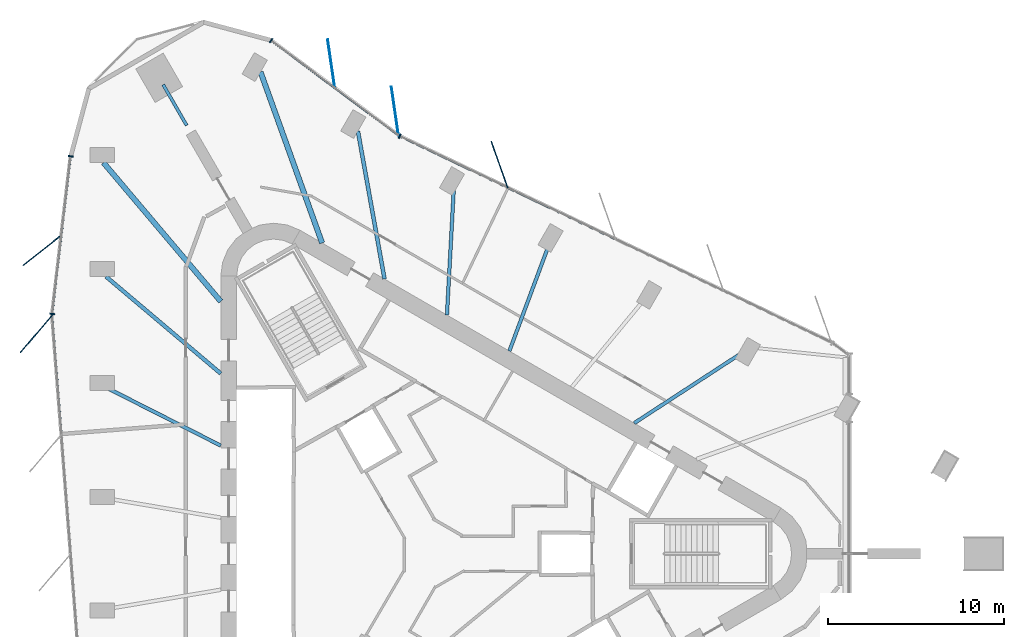
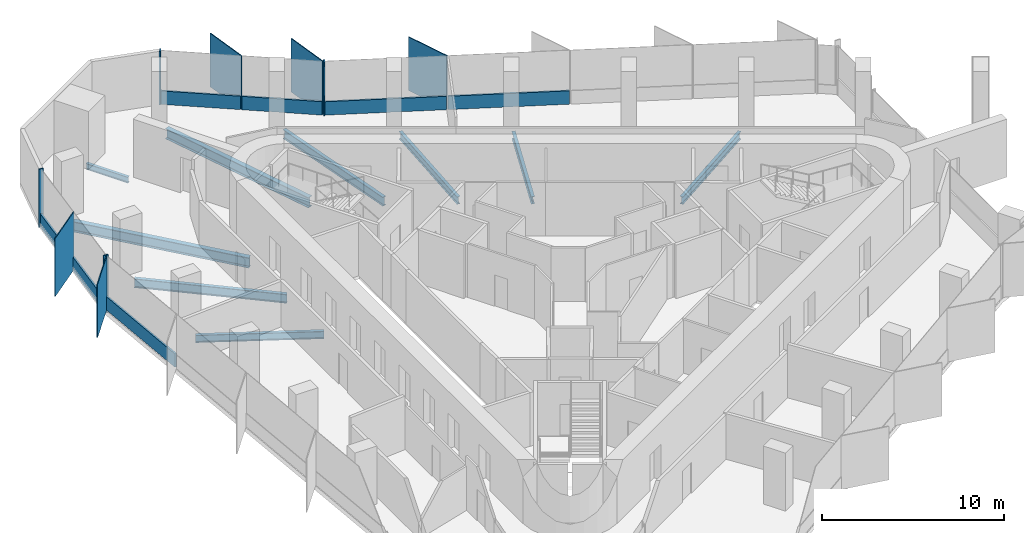
# One storey, part 4 of 12: 16 members, 9 beams, 4 elements without a shape of their own.
"""IFC4 building model written with IfcOpenShell, lengths in metres."""

from ifc_helpers import new_model, si_unit, direction, frame, origin, origin_2d, place, context, subcontext, project, spatial, rectangle, i_section, extrude, material, material_profile, profile_set, type_object, element, aggregate, save


model = new_model("IFC4")

# Units and contexts
model_context = context("Model", 3, precision=1e-05, world=origin(), true_north=direction((0.0, 1.0)))
body_context = subcontext(model_context, "Body", "Model", "MODEL_VIEW")
ifc_project = project(units=[si_unit("LENGTHUNIT", "METRE"), si_unit("AREAUNIT", "SQUARE_METRE"), si_unit("VOLUMEUNIT", "CUBIC_METRE"), si_unit("PLANEANGLEUNIT", "RADIAN"), si_unit("MASSUNIT", "GRAM", prefix="KILO")], contexts=[model_context])

# Site, building, storey
site_placement = place(None, origin())
site = spatial("IfcSite", under=ifc_project, at=site_placement, CompositionType="ELEMENT")
building_placement = place(site_placement, origin())
building = spatial("IfcBuilding", under=site, at=building_placement, Name="Tanit Gate Tower", CompositionType="ELEMENT")
storey_placement = place(building_placement, frame((0.0, 0.0, 380.60009765625)))
storey = spatial("IfcBuildingStorey", under=building, at=storey_placement, Name="L87", CompositionType="ELEMENT", Elevation=380.60009765625)

# Curtain wall, member
ifc_material_1 = material(Name="Aluminium bronze anodised and glass", Category="aluminium")
curtain_wall_type = type_object("IfcCurtainWallType", Name="Curtain wall typical high", PredefinedType="NOTDEFINED", material=ifc_material_1)
curtain_wall_1_placement = place(storey_placement, origin())
curtain_wall_1 = element("IfcCurtainWall", 1, at=curtain_wall_1_placement, inside=storey, type_object=curtain_wall_type, Name="Curtain wall L87 NE2", PredefinedType="NOTDEFINED")
ifc_material_2 = material(Name="Aluminium bronze anodised", Category="aluminium")
ifc_material_profile_1 = material_profile(ifc_material_2, rectangle(XDim=2.800048828125, YDim=0.055908203125, at=origin_2d()), Name="56x2800 bronze fin mullion")
ifc_profile_set_1 = profile_set([ifc_material_profile_1], Name="Aluminium bronze anodised")
member_type_1 = type_object("IfcMemberType", Name="FIN MULLION 56x2800 bronze", PredefinedType="MULLION", material=ifc_profile_set_1)
member_1_placement = place(storey_placement, frame((3.719970703125, 22.080322265625, 0.0), z_axis=(0.0, 0.0, 1.0), x_axis=(0.333220063881, -0.942849080727, 0.0)))
member_1 = element("IfcMember", 2, at=member_1_placement, type_object=member_type_1, Name="Fin mullion L87 NE2.4", PredefinedType="MULLION", context=body_context, shape_type="SweptSolid", body=[
    extrude(rectangle(XDim=2.800048828125, YDim=0.055908203125, at=origin_2d()), origin(), (0.0, 0.0, 1.0), 3.599853515625),
])

# Curtain wall, members
curtain_wall_2_placement = place(storey_placement, origin())
curtain_wall_2 = element("IfcCurtainWall", 3, at=curtain_wall_2_placement, inside=storey, type_object=curtain_wall_type, Name="Curtain wall L87 NE3", PredefinedType="NOTDEFINED")
member_2_placement = place(storey_placement, frame((-2.212646484375, 25.11181640625, 0.0), z_axis=(0.0, 0.0, 1.0), x_axis=(0.144707417984, -0.989474488393, 0.0)))
member_2 = element("IfcMember", 4, at=member_2_placement, type_object=member_type_1, Name="Fin mullion L87 NE3.1", PredefinedType="MULLION", context=body_context, shape_type="SweptSolid", body=[
    extrude(rectangle(XDim=2.800048828125, YDim=0.055908203125, at=origin_2d()), origin(), (0.0, 0.0, 1.0), 3.599853515625),
])
member_3_placement = place(storey_placement, frame((-5.82958984375, 27.8056640625, 0.0), z_axis=(0.0, 0.0, 1.0), x_axis=(0.144707417984, -0.989474488393, 0.0)))
member_3 = element("IfcMember", 5, at=member_3_placement, type_object=member_type_1, Name="Fin mullion L87 NE3.2", PredefinedType="MULLION", context=body_context, shape_type="SweptSolid", body=[
    extrude(rectangle(XDim=2.800048828125, YDim=0.055908203125, at=origin_2d()), origin(), (0.0, 0.0, 1.0), 3.599853515625),
])

# Curtain wall, member
curtain_wall_3_placement = place(storey_placement, origin())
curtain_wall_3 = element("IfcCurtainWall", 6, at=curtain_wall_3_placement, inside=storey, type_object=curtain_wall_type, Name="Curtain wall L87 W1", PredefinedType="NOTDEFINED")
member_4_placement = place(storey_placement, frame((-22.227294921875, 17.230712890625, -0.300048828125), z_axis=(0.0, 0.0, 1.0), x_axis=(0.784556334353, 0.620057544286, 0.0)))
member_4 = element("IfcMember", 7, at=member_4_placement, type_object=member_type_1, Name="Fin mullion L87 W1.2", PredefinedType="MULLION", context=body_context, shape_type="SweptSolid", body=[
    extrude(rectangle(XDim=2.800048828125, YDim=0.055908203125, at=origin_2d()), origin(), (0.0, 0.0, 1.0), 3.89990234375),
])

curtain_wall_4_placement = place(storey_placement, origin())
curtain_wall_4 = element("IfcCurtainWall", 8, at=curtain_wall_4_placement, inside=storey, type_object=curtain_wall_type, Name="Curtain wall L87 W2", PredefinedType="NOTDEFINED")
member_5_placement = place(storey_placement, frame((-22.567138671875, 12.48291015625, 0.0), z_axis=(0.0, 0.0, 1.0), x_axis=(0.649921223903, 0.760001580735, 0.0)))
member_5 = element("IfcMember", 9, at=member_5_placement, type_object=member_type_1, Name="Fin mullion L87 W2.1", PredefinedType="MULLION", context=body_context, shape_type="SweptSolid", body=[
    extrude(rectangle(XDim=2.800048828125, YDim=0.055908203125, at=origin_2d()), origin(), (0.0, 0.0, 1.0), 3.599853515625),
])

# Member
ifc_material_3 = material(Name="Aluminium bronze anodised", Category="aluminium")
ifc_material_profile_2 = material_profile(ifc_material_3, rectangle(XDim=0.280029296875, YDim=0.080078125, at=origin_2d()), Name="80x280 bronze mullion")
ifc_profile_set_2 = profile_set([ifc_material_profile_2], Name="Aluminium bronze anodised")
member_type_2 = type_object("IfcMemberType", Name="Mullion 80x280 typical high", PredefinedType="MULLION", material=ifc_profile_set_2)
member_6_placement = place(storey_placement, frame((-1.94482421875, 23.704833984375, 0.0), z_axis=(0.0, 0.0, 1.0), x_axis=(-0.431072811819, -0.902317145415, 0.0)))
member_6 = element("IfcMember", 10, at=member_6_placement, type_object=member_type_2, Name="Mullion L87 NE2.5", PredefinedType="MULLION", context=body_context, shape_type="SweptSolid", body=[
    extrude(rectangle(XDim=0.280029296875, YDim=0.080078125, at=origin_2d()), origin(), (0.0, 0.0, 1.0), 3.599853515625),
])

member_7_placement = place(storey_placement, frame((-9.246826171875, 29.134033203125, 0.0), z_axis=(0.0, 0.0, 1.0), x_axis=(-0.59734052401, -0.801987717098, 0.0)))
member_7 = element("IfcMember", 11, at=member_7_placement, type_object=member_type_2, Name="Mullion L87 NE3.3", PredefinedType="MULLION", context=body_context, shape_type="SweptSolid", body=[
    extrude(rectangle(XDim=0.280029296875, YDim=0.080078125, at=origin_2d()), origin(), (0.0, 0.0, 1.0), 3.599853515625),
])

member_8_placement = place(storey_placement, frame((-20.620361328125, 22.561279296875, -0.300048828125), z_axis=(0.0, 0.0, 1.0), x_axis=(0.993211998535, -0.116318209953, 0.0)))
member_8 = element("IfcMember", 12, at=member_8_placement, type_object=member_type_2, Name="Mullion L87 W1.1", PredefinedType="MULLION", context=body_context, shape_type="SweptSolid", body=[
    extrude(rectangle(XDim=0.280029296875, YDim=0.080078125, at=origin_2d()), origin(), (0.0, 0.0, 1.0), 3.89990234375),
])

member_9_placement = place(storey_placement, frame((-21.668701171875, 13.611572265625, -0.300048828125), z_axis=(0.0, 0.0, 1.0), x_axis=(0.993211998535, -0.116318209953, 0.0)))
member_9 = element("IfcMember", 13, at=member_9_placement, type_object=member_type_2, Name="Mullion L87 W1.3", PredefinedType="MULLION", context=body_context, shape_type="SweptSolid", body=[
    extrude(rectangle(XDim=0.280029296875, YDim=0.080078125, at=origin_2d()), origin(), (0.0, 0.0, 1.0), 3.89990234375),
])

# Beams
ifc_material_4 = material(Name="Steel S355", Category="steel")
ifc_material_profile_3 = material_profile(ifc_material_4, i_section(OverallWidth=0.300048828125, OverallDepth=0.68994140625, WebThickness=0.014404296875, FlangeThickness=0.027099609375, FilletRadius=0.027099609375, at=origin_2d()), Name="HEA 700")
ifc_profile_set_3 = profile_set([ifc_material_profile_3], Name="Steel S355")
beam_type_1 = type_object("IfcBeamType", Name="RADIAL GIRDER HEA 700 S355", PredefinedType="BEAM", material=ifc_profile_set_3)
beam_1_placement = place(storey_placement, frame((-9.84423828125, 27.346435546875, -0.64501953125), z_axis=(0.338716116064, -0.940888618657, 0.0), x_axis=(0.940888618657, 0.338716116064, 0.0)))
element("IfcBeam", 14, at=beam_1_placement, inside=storey, type_object=beam_type_1, Name="RADIAL GIRDER", PredefinedType="BEAM", context=body_context, shape_type="SweptSolid", body=[
    extrude(i_section(OverallWidth=0.300048828125, OverallDepth=0.68994140625, WebThickness=0.014404296875, FlangeThickness=0.027099609375, FilletRadius=0.027099609375, at=origin_2d()), origin(), (0.0, 0.0, 1.0), 10.31591796875),
])
beam_2_placement = place(storey_placement, frame((-18.7607421875, 22.198486328125, -0.64501953125), z_axis=(0.645485929832, -0.763772161308, 0.0), x_axis=(0.763772161308, 0.645485929832, 0.0)))
element("IfcBeam", 15, at=beam_2_placement, inside=storey, type_object=beam_type_1, Name="RADIAL GIRDER", PredefinedType="BEAM", context=body_context, shape_type="SweptSolid", body=[
    extrude(i_section(OverallWidth=0.300048828125, OverallDepth=0.68994140625, WebThickness=0.014404296875, FlangeThickness=0.027099609375, FilletRadius=0.027099609375, at=origin_2d()), origin(), (0.0, 0.0, 1.0), 10.315673828125),
])
ifc_material_5 = material(Name="Steel S355", Category="steel")
ifc_material_profile_4 = material_profile(ifc_material_5, i_section(OverallWidth=0.179931640625, OverallDepth=0.39990234375, WebThickness=0.008544921875, FlangeThickness=0.013427734375, FilletRadius=0.02099609375, at=origin_2d()), Name="IPE 400")
ifc_profile_set_4 = profile_set([ifc_material_profile_4], Name="Steel S355")
beam_type_2 = type_object("IfcBeamType", Name="RADIAL GIRDER IPE 400 S355", PredefinedType="BEAM", material=ifc_profile_set_4)
beam_3_placement = place(storey_placement, frame((-15.371826171875, 26.624755859375, -0.5), z_axis=(0.500020336772, -0.866013662025, 0.0), x_axis=(0.866013662025, 0.500020336772, 0.0)))
element("IfcBeam", 16, at=beam_3_placement, inside=storey, type_object=beam_type_2, Name="RADIAL GIRDER", PredefinedType="BEAM", context=body_context, shape_type="SweptSolid", body=[
    extrude(i_section(OverallWidth=0.179931640625, OverallDepth=0.39990234375, WebThickness=0.008544921875, FlangeThickness=0.013427734375, FilletRadius=0.02099609375, at=origin_2d()), origin(), (0.0, 0.0, 1.0), 2.67236328125),
])
ifc_material_6 = material(Name="Steel S355", Category="steel")
ifc_material_profile_5 = material_profile(ifc_material_6, i_section(OverallWidth=0.199951171875, OverallDepth=0.5, WebThickness=0.01025390625, FlangeThickness=0.01611328125, FilletRadius=0.02099609375, at=origin_2d()), Name="IPE 500")
ifc_profile_set_5 = profile_set([ifc_material_profile_5], Name="Steel S355")
beam_type_3 = type_object("IfcBeamType", Name="RADIAL GIRDER IPE 500 S355", PredefinedType="BEAM", material=ifc_profile_set_5)
beam_4_placement = place(storey_placement, frame((17.29931640625, 11.28173828125, -0.550048828125), z_axis=(-0.837617453042, -0.546257267557, 0.0), x_axis=(0.546257267557, -0.837617453042, 0.0)))
element("IfcBeam", 17, at=beam_4_placement, inside=storey, type_object=beam_type_3, Name="RADIAL GIRDER", PredefinedType="BEAM", context=body_context, shape_type="SweptSolid", body=[
    extrude(i_section(OverallWidth=0.199951171875, OverallDepth=0.5, WebThickness=0.01025390625, FlangeThickness=0.01611328125, FilletRadius=0.02099609375, at=origin_2d()), origin(), (0.0, 0.0, 1.0), 7.083984375),
])
beam_5_placement = place(storey_placement, frame((6.513427734375, 17.5087890625, -0.550048828125), z_axis=(-0.348675335888, -0.93724357034, 0.0), x_axis=(0.93724357034, -0.348675335888, 0.0)))
element("IfcBeam", 18, at=beam_5_placement, inside=storey, type_object=beam_type_3, Name="RADIAL GIRDER", PredefinedType="BEAM", context=body_context, shape_type="SweptSolid", body=[
    extrude(i_section(OverallWidth=0.199951171875, OverallDepth=0.5, WebThickness=0.01025390625, FlangeThickness=0.01611328125, FilletRadius=0.02099609375, at=origin_2d()), origin(), (0.0, 0.0, 1.0), 6.407470703125),
])
beam_6_placement = place(storey_placement, frame((1.12060546875, 20.62255859375, -0.550048828125), z_axis=(-0.054280812933, -0.998525709908, 0.0), x_axis=(0.998525709908, -0.054280812933, 0.0)))
element("IfcBeam", 19, at=beam_6_placement, inside=storey, type_object=beam_type_3, Name="RADIAL GIRDER", PredefinedType="BEAM", context=body_context, shape_type="SweptSolid", body=[
    extrude(i_section(OverallWidth=0.199951171875, OverallDepth=0.5, WebThickness=0.01025390625, FlangeThickness=0.01611328125, FilletRadius=0.02099609375, at=origin_2d()), origin(), (0.0, 0.0, 1.0), 7.083984375),
])
beam_7_placement = place(storey_placement, frame((-18.419921875, 9.3408203125, -0.550048828125), z_axis=(0.891876205065, -0.452279598078, 0.0), x_axis=(0.452279598078, 0.891876205065, 0.0)))
element("IfcBeam", 20, at=beam_7_placement, inside=storey, type_object=beam_type_3, Name="RADIAL GIRDER", PredefinedType="BEAM", context=body_context, shape_type="SweptSolid", body=[
    extrude(i_section(OverallWidth=0.199951171875, OverallDepth=0.5, WebThickness=0.01025390625, FlangeThickness=0.01611328125, FilletRadius=0.02099609375, at=origin_2d()), origin(), (0.0, 0.0, 1.0), 7.083740234375),
])
ifc_material_7 = material(Name="Steel S355", Category="steel")
ifc_material_profile_6 = material_profile(ifc_material_7, i_section(OverallWidth=0.219970703125, OverallDepth=0.60009765625, WebThickness=0.011962890625, FlangeThickness=0.01904296875, FilletRadius=0.02392578125, at=origin_2d()), Name="IPE 600")
ifc_profile_set_6 = profile_set([ifc_material_profile_6], Name="Steel S355")
beam_type_4 = type_object("IfcBeamType", Name="RADIAL GIRDER IPE 600 S355", PredefinedType="BEAM", material=ifc_profile_set_6)
beam_8_placement = place(storey_placement, frame((-4.318115234375, 23.990234375, -0.60009765625), z_axis=(0.177157433794, -0.984182525577, 0.0), x_axis=(0.984182525577, 0.177157433794, 0.0)))
element("IfcBeam", 21, at=beam_8_placement, inside=storey, type_object=beam_type_4, Name="RADIAL GIRDER", PredefinedType="BEAM", context=body_context, shape_type="SweptSolid", body=[
    extrude(i_section(OverallWidth=0.219970703125, OverallDepth=0.60009765625, WebThickness=0.011962890625, FlangeThickness=0.01904296875, FilletRadius=0.02392578125, at=origin_2d()), origin(), (0.0, 0.0, 1.0), 8.530517578125),
])
beam_9_placement = place(storey_placement, frame((-18.616943359375, 15.734619140625, -0.60009765625), z_axis=(0.763747676896, -0.645514899933, 0.0), x_axis=(0.645514899933, 0.763747676896, 0.0)))
element("IfcBeam", 22, at=beam_9_placement, inside=storey, type_object=beam_type_4, Name="RADIAL GIRDER", PredefinedType="BEAM", context=body_context, shape_type="SweptSolid", body=[
    extrude(i_section(OverallWidth=0.219970703125, OverallDepth=0.60009765625, WebThickness=0.011962890625, FlangeThickness=0.01904296875, FilletRadius=0.02392578125, at=origin_2d()), origin(), (0.0, 0.0, 1.0), 8.5302734375),
])

# Member
ifc_material_8 = material(Name="Aluminium bronze anodised", Category="aluminium")
ifc_material_profile_7 = material_profile(ifc_material_8, rectangle(XDim=0.1201171875, YDim=0.89990234375, at=origin_2d()), Name="120x900 bronze transom")
ifc_profile_set_7 = profile_set([ifc_material_profile_7], Name="Aluminium bronze anodised")
member_type_3 = type_object("IfcMemberType", Name="Transom 120x900 typical high", PredefinedType="USERDEFINED", material=ifc_profile_set_7)
member_10_placement = place(storey_placement, frame((10.2685546875, 17.8701171875, 0.449951171875), z_axis=(-0.902312153024, 0.431083261685, 0.0), x_axis=(-0.431083261685, -0.902312153024, 0.0)))
member_10 = element("IfcMember", 23, at=member_10_placement, type_object=member_type_3, Name="Transom L87 NE2.3", ObjectType="TRANSOM", PredefinedType="USERDEFINED", context=body_context, shape_type="SweptSolid", body=[
    extrude(rectangle(XDim=0.1201171875, YDim=0.89990234375, at=origin_2d()), origin(), (0.0, 0.0, 1.0), 6.707763671875),
])

member_11_placement = place(storey_placement, frame((4.14404296875, 20.796142578125, 0.449951171875), z_axis=(-0.902318916403, 0.431069104787, 0.0), x_axis=(-0.431069104787, -0.902318916403, 0.0)))
member_11 = element("IfcMember", 24, at=member_11_placement, type_object=member_type_3, Name="Transom L87 NE2.4", ObjectType="TRANSOM", PredefinedType="USERDEFINED", context=body_context, shape_type="SweptSolid", body=[
    extrude(rectangle(XDim=0.1201171875, YDim=0.89990234375, at=origin_2d()), origin(), (0.0, 0.0, 1.0), 6.7080078125),
])

aggregate(curtain_wall_1, [member_1, member_6, member_10, member_11])

member_12_placement = place(storey_placement, frame((-2.044921875, 23.77001953125, 0.449951171875), z_axis=(-0.801979633129, 0.59735137737, 0.0), x_axis=(-0.59735137737, -0.801979633129, 0.0)))
member_12 = element("IfcMember", 25, at=member_12_placement, type_object=member_type_3, Name="Transom L87 NE3.1", ObjectType="TRANSOM", PredefinedType="USERDEFINED", context=body_context, shape_type="SweptSolid", body=[
    extrude(rectangle(XDim=0.1201171875, YDim=0.89990234375, at=origin_2d()), origin(), (0.0, 0.0, 1.0), 4.429931640625),
])

member_13_placement = place(storey_placement, frame((-5.661865234375, 26.4638671875, 0.449951171875), z_axis=(-0.801999297117, 0.597324976393, 0.0), x_axis=(-0.597324976393, -0.801999297117, 0.0)))
member_13 = element("IfcMember", 26, at=member_13_placement, type_object=member_type_3, Name="Transom L87 NE3.2", ObjectType="TRANSOM", PredefinedType="USERDEFINED", context=body_context, shape_type="SweptSolid", body=[
    extrude(rectangle(XDim=0.1201171875, YDim=0.89990234375, at=origin_2d()), origin(), (0.0, 0.0, 1.0), 4.43017578125),
])

aggregate(curtain_wall_2, [member_2, member_3, member_7, member_12, member_13])

member_14_placement = place(storey_placement, frame((-20.625, 22.521484375, 0.14990234375), z_axis=(-0.116351490512, -0.993208100378, 0.0), x_axis=(0.993208100378, -0.116351490512, 0.0)))
member_14 = element("IfcMember", 27, at=member_14_placement, type_object=member_type_3, Name="Transom L87 W1.1", ObjectType="TRANSOM", PredefinedType="USERDEFINED", context=body_context, shape_type="SweptSolid", body=[
    extrude(rectangle(XDim=0.1201171875, YDim=0.89990234375, at=origin_2d()), origin(), (0.0, 0.0, 1.0), 4.42529296875),
])

member_15_placement = place(storey_placement, frame((-21.149169921875, 18.046630859375, 0.14990234375), z_axis=(-0.116351490512, -0.993208100378, 0.0), x_axis=(0.993208100378, -0.116351490512, 0.0)))
member_15 = element("IfcMember", 28, at=member_15_placement, type_object=member_type_3, Name="Transom L87 W1.2", ObjectType="TRANSOM", PredefinedType="USERDEFINED", context=body_context, shape_type="SweptSolid", body=[
    extrude(rectangle(XDim=0.1201171875, YDim=0.89990234375, at=origin_2d()), origin(), (0.0, 0.0, 1.0), 4.42529296875),
])

aggregate(curtain_wall_3, [member_8, member_4, member_9, member_14, member_15])

member_16_placement = place(storey_placement, frame((-21.6669921875, 13.4921875, 0.449951171875), z_axis=(0.077851491829, -0.996964966897, 0.0), x_axis=(0.996964966897, 0.077851491829, 0.0)))
member_16 = element("IfcMember", 29, at=member_16_placement, type_object=member_type_3, Name="Transom L87 W2.1", ObjectType="TRANSOM", PredefinedType="USERDEFINED", context=body_context, shape_type="SweptSolid", body=[
    extrude(rectangle(XDim=0.1201171875, YDim=0.89990234375, at=origin_2d()), origin(), (0.0, 0.0, 1.0), 6.707763671875),
])

aggregate(curtain_wall_4, [member_5, member_16])

save(model, "model.ifc")
